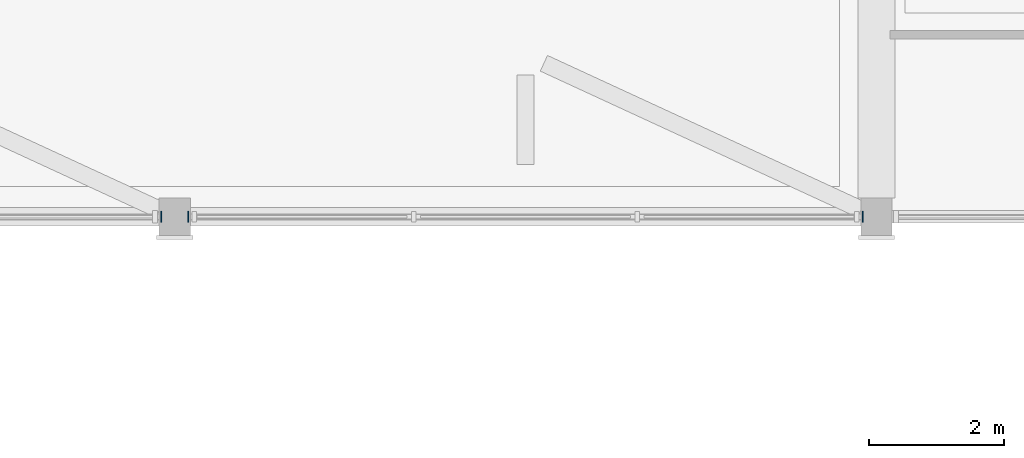
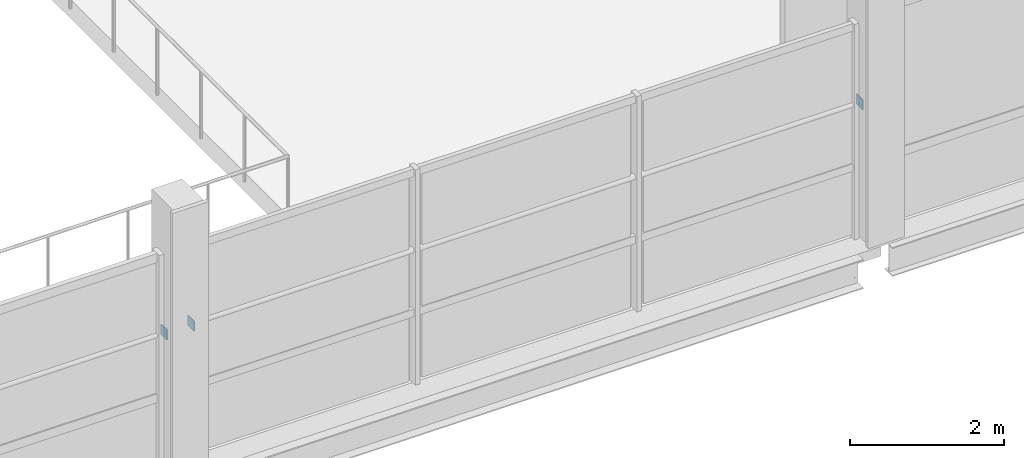
# One storey, part 42 of 85: 3 plates.
"""IFC4 building model written with IfcOpenShell, lengths in metres."""

from ifc_helpers import new_model, si_unit, derived_unit, direction, frame, origin, origin_2d, place, context, subcontext, project, spatial, rectangle, extrude, material, layer, layer_set, type_object, element, save


model = new_model("IFC4")

# Units and contexts
model_context = context("Model", 3, precision=1e-05, world=origin(), true_north=direction((0.0, 1.0)))
body_context = subcontext(model_context, "Body", "Model", "MODEL_VIEW")
ifc_project = project(units=[si_unit("LENGTHUNIT", "METRE"), si_unit("AREAUNIT", "SQUARE_METRE"), si_unit("VOLUMEUNIT", "CUBIC_METRE"), si_unit("PLANEANGLEUNIT", "RADIAN"), si_unit("MASSUNIT", "GRAM", prefix="KILO"), derived_unit("THERMALTRANSMITTANCEUNIT", [(si_unit("POWERUNIT", "WATT"), 1), (si_unit("LENGTHUNIT", "METRE"), -2), (si_unit("THERMODYNAMICTEMPERATUREUNIT", "KELVIN"), -1)])], contexts=[model_context])

# Site, building, storey
site_placement = place(None, origin())
site = spatial("IfcSite", under=ifc_project, at=site_placement, CompositionType="ELEMENT")
building_placement = place(site_placement, origin())
building = spatial("IfcBuilding", under=site, at=building_placement, Name="Braskholm Square Health Centre", CompositionType="ELEMENT")
storey_placement = place(building_placement, frame((0.0, 0.0, 9.300048828125)))
storey = spatial("IfcBuildingStorey", under=building, at=storey_placement, Name="L03", CompositionType="ELEMENT", Elevation=9.300048828125)

# Plates
ifc_material = material(Name="Steel ASTM A572 Grade 50", Category="steel")
ifc_layer = layer(ifc_material, 0.01611328125)
ifc_layer_set = layer_set([ifc_layer], Name="Steel ASTM A572 Grade 50")
plate_type = type_object("IfcPlateType", Name="CapPlateHSS152TN8", PredefinedType="USERDEFINED", material=ifc_layer_set)
for number, where, z_axis, x_axis, name in (
    (1, (109.798095703125, 87.199951171875, 2.02001953125), (0.0, 0.0, 1.0), (1.0, 0.0, 0.0), "Hollow section end cap plate 0318"),
    (2, (110.201904296875, 87.199951171875, 2.02001953125), (0.0, 0.0, 1.0), (1.0, 0.0, 0.0), "Hollow section end cap plate 0325"),
    (3, (120.197998046875, 87.199951171875, 2.02001953125), (0.0, 0.0, 1.0), (1.0, 0.0, 0.0), "Hollow section end cap plate 0326"),
):
    element("IfcPlate", number, at=place(storey_placement, frame(where, z_axis=z_axis, x_axis=x_axis)), inside=storey, type_object=plate_type, Name=name, ObjectType="CAP_PLATE", PredefinedType="USERDEFINED", context=body_context, shape_type="SweptSolid", body=[
        extrude(rectangle(XDim=0.01611328125, YDim=0.159912109375, at=origin_2d()), origin(), (0.0, 0.0, 1.0), 0.159912109375),
    ])

save(model, "model.ifc")
